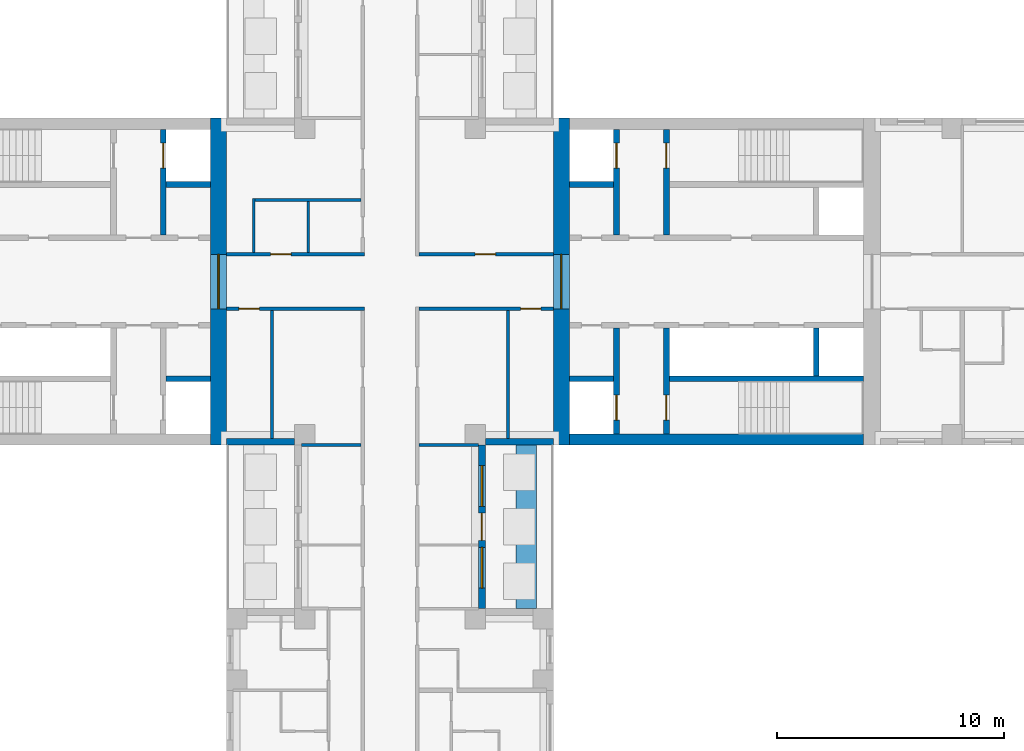
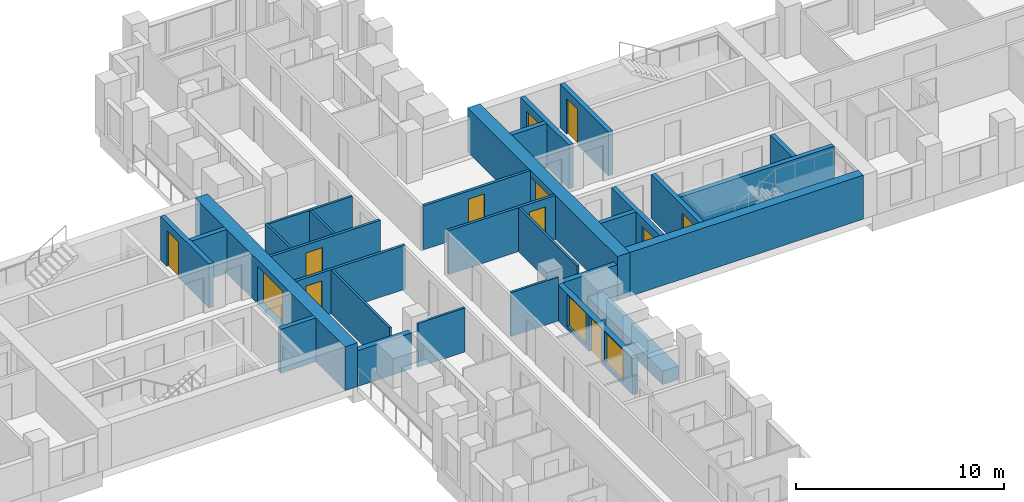
# One storey, part 8 of 14: 29 walls, 12 doors, 2 windows, 14 openings.
"""IFC4 building model written with IfcOpenShell, lengths in metres."""

from ifc_helpers import new_model, si_unit, direction, frame, frame_2d, origin, place, context, subcontext, project, spatial, rectangle, extrude, material, layer, layer_set, type_object, element, fill, save


model = new_model("IFC4")

# Units and contexts
model_context = context("Model", 3, precision=1e-05, world=origin(), true_north=direction((0.0, 1.0)))
body_context = subcontext(model_context, "Body", "Model", "MODEL_VIEW")
ifc_project = project(units=[si_unit("LENGTHUNIT", "METRE"), si_unit("AREAUNIT", "SQUARE_METRE"), si_unit("VOLUMEUNIT", "CUBIC_METRE"), si_unit("PLANEANGLEUNIT", "RADIAN"), si_unit("MASSUNIT", "GRAM", prefix="KILO")], contexts=[model_context])

# Site, building, storey
site_placement = place(None, origin())
site = spatial("IfcSite", under=ifc_project, at=site_placement, CompositionType="ELEMENT")
building_placement = place(site_placement, origin())
building = spatial("IfcBuilding", under=site, at=building_placement, Name="Fustian Cross Tower", CompositionType="ELEMENT")
storey_placement = place(building_placement, frame((0.0, 0.0, 69.89990234375)))
storey = spatial("IfcBuildingStorey", under=building, at=storey_placement, Name="L21", CompositionType="ELEMENT", Elevation=69.89990234375)

# Wall, opening, door
ifc_material_1 = material(Name="Plasterboard on steel stud", Category="steel")
ifc_layer_1 = layer(ifc_material_1, 0.14990234375)
ifc_layer_set_1 = layer_set([ifc_layer_1], Name="Plasterboard on steel stud")
wall_type_1 = type_object("IfcWallType", Name="COMPARTMENT WALL 150 EI 60", PredefinedType="PARTITIONING", material=ifc_layer_set_1)
wall_1_placement = place(storey_placement, frame((-7.199951171875, -1.199951171875, 0.0), z_axis=(0.0, 0.0, 1.0), x_axis=(1.0, 0.0, 0.0)))
wall_1 = element("IfcWall", 1, at=wall_1_placement, inside=storey, type_object=wall_type_1, Name="Partition 16", PredefinedType="PARTITIONING", context=body_context, shape_type="SweptSolid", body=[
    extrude(rectangle(XDim=6.074951171875, YDim=0.14990234375, at=frame_2d((3.03759765625, 0.0))), origin(), (0.0, 0.0, 1.0), 2.5751953125),
])
opening_1_placement = place(wall_1_placement, frame((0.550048828125, 0.0, 0.0)))
opening_1 = element("IfcOpeningElement", 2, at=opening_1_placement, cuts=wall_1, Name="Opening D11008", PredefinedType="OPENING", context=body_context, shape_type="SweptSolid", body=[
    extrude(rectangle(XDim=0.89990234375, YDim=2.10009765625, at=frame_2d((0.449951171875, 1.050048828125))), frame((0.0, 0.0849609375, 0.0), z_axis=(0.0, -1.0, 0.0), x_axis=(1.0, 0.0, 0.0)), (0.0, 0.0, 1.0), 0.169921875),
])
ifc_material_2 = material(Name="Timber fire door set", Category="wood")
door_type_1 = type_object("IfcDoorType", Name="FIRE SWING DOOR 900 FD30S", OperationType="SINGLE_SWING_LEFT", PredefinedType="DOOR", material=ifc_material_2)
door_1_placement = place(opening_1_placement, frame((0.89990234375, 0.0, 0.0), z_axis=(0.0, 0.0, 1.0), x_axis=(-1.0, 0.0, 0.0)))
door_1 = element("IfcDoor", 3, at=door_1_placement, inside=storey, type_object=door_type_1, Name="Door D11008", OperationType="SINGLE_SWING_RIGHT", OverallHeight=2.10009765625, OverallWidth=0.89990234375, PredefinedType="DOOR", context=body_context, shape_type="SweptSolid", body=[
    extrude(rectangle(XDim=0.89990234375, YDim=2.10009765625, at=frame_2d((0.449951171875, 1.050048828125))), frame((0.0, 0.02490234375, 0.0), z_axis=(0.0, -1.0, 0.0), x_axis=(1.0, 0.0, 0.0)), (0.0, 0.0, 1.0), 0.050048828125),
])
fill(opening_1, door_1)

wall_2_placement = place(storey_placement, frame((-7.199951171875, 1.199951171875, 0.0), z_axis=(0.0, 0.0, 1.0), x_axis=(1.0, 0.0, 0.0)))
wall_2 = element("IfcWall", 4, at=wall_2_placement, inside=storey, type_object=wall_type_1, Name="Partition 17", PredefinedType="PARTITIONING", context=body_context, shape_type="SweptSolid", body=[
    extrude(rectangle(XDim=6.074951171875, YDim=0.14990234375, at=frame_2d((3.03759765625, 0.0))), origin(), (0.0, 0.0, 1.0), 2.5751953125),
])
opening_2_placement = place(wall_2_placement, frame((1.949951171875, 0.0, 0.0)))
opening_2 = element("IfcOpeningElement", 5, at=opening_2_placement, cuts=wall_2, Name="Opening D11003", PredefinedType="OPENING", context=body_context, shape_type="SweptSolid", body=[
    extrude(rectangle(XDim=0.89990234375, YDim=2.10009765625, at=frame_2d((0.449951171875, 1.050048828125))), frame((0.0, 0.0849609375, 0.0), z_axis=(0.0, -1.0, 0.0), x_axis=(1.0, 0.0, 0.0)), (0.0, 0.0, 1.0), 0.169921875),
])
door_2_placement = place(opening_2_placement, origin())
door_2 = element("IfcDoor", 6, at=door_2_placement, inside=storey, type_object=door_type_1, Name="Door D11003", OperationType="SINGLE_SWING_LEFT", OverallHeight=2.10009765625, OverallWidth=0.89990234375, PredefinedType="DOOR", context=body_context, shape_type="SweptSolid", body=[
    extrude(rectangle(XDim=0.89990234375, YDim=2.10009765625, at=frame_2d((0.449951171875, 1.050048828125))), frame((0.0, 0.02490234375, 0.0), z_axis=(0.0, -1.0, 0.0), x_axis=(1.0, 0.0, 0.0)), (0.0, 0.0, 1.0), 0.050048828125),
])
fill(opening_2, door_2)

wall_3_placement = place(storey_placement, frame((1.27490234375, -1.199951171875, 0.0), z_axis=(0.0, 0.0, 1.0), x_axis=(1.0, 0.0, 0.0)))
wall_3 = element("IfcWall", 7, at=wall_3_placement, inside=storey, type_object=wall_type_1, Name="Partition 59", PredefinedType="PARTITIONING", context=body_context, shape_type="SweptSolid", body=[
    extrude(rectangle(XDim=5.925048828125, YDim=0.14990234375, at=frame_2d((2.96240234375, 0.0))), origin(), (0.0, 0.0, 1.0), 2.5751953125),
])
opening_3_placement = place(wall_3_placement, frame((4.47509765625, 0.0, 0.0)))
opening_3 = element("IfcOpeningElement", 8, at=opening_3_placement, cuts=wall_3, Name="Opening D11006", PredefinedType="OPENING", context=body_context, shape_type="SweptSolid", body=[
    extrude(rectangle(XDim=0.89990234375, YDim=2.10009765625, at=frame_2d((0.449951171875, 1.050048828125))), frame((0.0, 0.0849609375, 0.0), z_axis=(0.0, -1.0, 0.0), x_axis=(1.0, 0.0, 0.0)), (0.0, 0.0, 1.0), 0.169921875),
])
door_3_placement = place(opening_3_placement, frame((0.89990234375, 0.0, 0.0), z_axis=(0.0, 0.0, 1.0), x_axis=(-1.0, 0.0, 0.0)))
door_3 = element("IfcDoor", 9, at=door_3_placement, inside=storey, type_object=door_type_1, Name="Door D11006", OperationType="SINGLE_SWING_RIGHT", OverallHeight=2.10009765625, OverallWidth=0.89990234375, PredefinedType="DOOR", context=body_context, shape_type="SweptSolid", body=[
    extrude(rectangle(XDim=0.89990234375, YDim=2.10009765625, at=frame_2d((0.449951171875, 1.050048828125))), frame((0.0, 0.02490234375, 0.0), z_axis=(0.0, -1.0, 0.0), x_axis=(1.0, 0.0, 0.0)), (0.0, 0.0, 1.0), 0.050048828125),
])
fill(opening_3, door_3)

wall_4_placement = place(storey_placement, frame((1.27490234375, 1.199951171875, 0.0), z_axis=(0.0, 0.0, 1.0), x_axis=(1.0, 0.0, 0.0)))
wall_4 = element("IfcWall", 10, at=wall_4_placement, inside=storey, type_object=wall_type_1, Name="Partition 61", PredefinedType="PARTITIONING", context=body_context, shape_type="SweptSolid", body=[
    extrude(rectangle(XDim=5.925048828125, YDim=0.14990234375, at=frame_2d((2.96240234375, 0.0))), origin(), (0.0, 0.0, 1.0), 2.5751953125),
])
opening_4_placement = place(wall_4_placement, frame((2.47509765625, 0.0, 0.0)))
opening_4 = element("IfcOpeningElement", 11, at=opening_4_placement, cuts=wall_4, Name="Opening D11001", PredefinedType="OPENING", context=body_context, shape_type="SweptSolid", body=[
    extrude(rectangle(XDim=0.89990234375, YDim=2.10009765625, at=frame_2d((0.449951171875, 1.050048828125))), frame((0.0, 0.0849609375, 0.0), z_axis=(0.0, -1.0, 0.0), x_axis=(1.0, 0.0, 0.0)), (0.0, 0.0, 1.0), 0.169921875),
])
door_4_placement = place(opening_4_placement, origin())
door_4 = element("IfcDoor", 12, at=door_4_placement, inside=storey, type_object=door_type_1, Name="Door D11001", OperationType="SINGLE_SWING_LEFT", OverallHeight=2.10009765625, OverallWidth=0.89990234375, PredefinedType="DOOR", context=body_context, shape_type="SweptSolid", body=[
    extrude(rectangle(XDim=0.89990234375, YDim=2.10009765625, at=frame_2d((0.449951171875, 1.050048828125))), frame((0.0, 0.02490234375, 0.0), z_axis=(0.0, -1.0, 0.0), x_axis=(1.0, 0.0, 0.0)), (0.0, 0.0, 1.0), 0.050048828125),
])
fill(opening_4, door_4)

ifc_material_3 = material(Name="Concrete C70/85", Category="concrete")
ifc_layer_2 = layer(ifc_material_3, 0.699951171875)
ifc_layer_set_2 = layer_set([ifc_layer_2], Name="Concrete C70/85")
wall_type_2 = type_object("IfcWallType", Name="CORE END WALL 700 C70/85", PredefinedType="SHEAR", material=ifc_layer_set_2)
wall_5_placement = place(storey_placement, frame((7.550048828125, -7.199951171875, 0.0), z_axis=(0.0, 0.0, 1.0), x_axis=(0.0, 1.0, 0.0)))
wall_5 = element("IfcWall", 13, at=wall_5_placement, inside=storey, type_object=wall_type_2, Name="Core end wall", PredefinedType="SHEAR", context=body_context, shape_type="SweptSolid", body=[
    extrude(rectangle(XDim=14.39990234375, YDim=0.699951171875, at=frame_2d((7.199951171875, 0.0))), origin(), (0.0, 0.0, 1.0), 2.5751953125),
])
opening_5_placement = place(wall_5_placement, frame((6.0, 0.0, 0.0)))
opening_5 = element("IfcOpeningElement", 14, at=opening_5_placement, cuts=wall_5, Name="Opening CD-09-12", PredefinedType="OPENING", context=body_context, shape_type="SweptSolid", body=[
    extrude(rectangle(XDim=2.39990234375, YDim=2.199951171875, at=frame_2d((1.199951171875, 1.10009765625))), frame((0.0, 0.35986328125, 0.0), z_axis=(0.0, -1.0, 0.0), x_axis=(1.0, 0.0, 0.0)), (0.0, 0.0, 1.0), 0.719970703125),
])
ifc_material_4 = material(Name="Steel", Category="steel")
door_type_2 = type_object("IfcDoorType", Name="FIRE DOOR FD30S DOUBLE 2400X2200", OperationType="DOUBLE_DOOR_DOUBLE_SWING", PredefinedType="DOOR", material=ifc_material_4)
door_5_placement = place(opening_5_placement, frame((2.39990234375, 0.0, 0.0), z_axis=(0.0, 0.0, 1.0), x_axis=(-1.0, 0.0, 0.0)))
door_5 = element("IfcDoor", 15, at=door_5_placement, inside=storey, type_object=door_type_2, Name="Core door CD-09-12", OperationType="DOUBLE_DOOR_DOUBLE_SWING", OverallHeight=2.199951171875, OverallWidth=2.39990234375, PredefinedType="DOOR", context=body_context, shape_type="SweptSolid", body=[
    extrude(rectangle(XDim=2.39990234375, YDim=2.199951171875, at=frame_2d((1.199951171875, 1.10009765625))), frame((0.0, 0.02490234375, 0.0), z_axis=(0.0, -1.0, 0.0), x_axis=(1.0, 0.0, 0.0)), (0.0, 0.0, 1.0), 0.050048828125),
])
fill(opening_5, door_5)

wall_6_placement = place(storey_placement, frame((-7.550048828125, -7.199951171875, 0.0), z_axis=(0.0, 0.0, 1.0), x_axis=(0.0, 1.0, 0.0)))
wall_6 = element("IfcWall", 16, at=wall_6_placement, inside=storey, type_object=wall_type_2, Name="Core end wall", PredefinedType="SHEAR", context=body_context, shape_type="SweptSolid", body=[
    extrude(rectangle(XDim=14.39990234375, YDim=0.699951171875, at=frame_2d((7.199951171875, 0.0))), origin(), (0.0, 0.0, 1.0), 2.5751953125),
])
opening_6_placement = place(wall_6_placement, frame((6.0, 0.0, 0.0)))
opening_6 = element("IfcOpeningElement", 17, at=opening_6_placement, cuts=wall_6, Name="Opening CD-09-26", PredefinedType="OPENING", context=body_context, shape_type="SweptSolid", body=[
    extrude(rectangle(XDim=2.39990234375, YDim=2.199951171875, at=frame_2d((1.199951171875, 1.10009765625))), frame((0.0, 0.35986328125, 0.0), z_axis=(0.0, -1.0, 0.0), x_axis=(1.0, 0.0, 0.0)), (0.0, 0.0, 1.0), 0.719970703125),
])
door_6_placement = place(opening_6_placement, origin())
door_6 = element("IfcDoor", 18, at=door_6_placement, inside=storey, type_object=door_type_2, Name="Core door CD-09-26", OperationType="DOUBLE_DOOR_DOUBLE_SWING", OverallHeight=2.199951171875, OverallWidth=2.39990234375, PredefinedType="DOOR", context=body_context, shape_type="SweptSolid", body=[
    extrude(rectangle(XDim=2.39990234375, YDim=2.199951171875, at=frame_2d((1.199951171875, 1.10009765625))), frame((0.0, 0.02490234375, 0.0), z_axis=(0.0, -1.0, 0.0), x_axis=(1.0, 0.0, 0.0)), (0.0, 0.0, 1.0), 0.050048828125),
])
fill(opening_6, door_6)

# Walls
ifc_material_5 = material(Name="Concrete C70/85", Category="concrete")
ifc_layer_3 = layer(ifc_material_5, 0.5)
ifc_layer_set_3 = layer_set([ifc_layer_3], Name="Concrete C70/85")
wall_type_3 = type_object("IfcWallType", Name="CORE FACADE WALL 500 C70/85", PredefinedType="SHEAR", material=ifc_layer_set_3)
wall_7_placement = place(storey_placement, frame((7.89990234375, -6.949951171875, 0.0), z_axis=(0.0, 0.0, 1.0), x_axis=(1.0, 0.0, 0.0)))
element("IfcWall", 19, at=wall_7_placement, inside=storey, type_object=wall_type_3, Name="Core facade wall", PredefinedType="SHEAR", context=body_context, shape_type="SweptSolid", body=[
    extrude(rectangle(XDim=12.9501953125, YDim=0.5, at=frame_2d((6.47509765625, 0.0))), origin(), (0.0, 0.0, 1.0), 2.5751953125),
])
ifc_material_6 = material(Name="Concrete C50/60", Category="concrete")
ifc_layer_4 = layer(ifc_material_6, 0.25)
ifc_layer_set_4 = layer_set([ifc_layer_4], Name="Concrete C50/60")
wall_type_4 = type_object("IfcWallType", Name="CORE SHAFT WALL 250 C50/60", PredefinedType="SHEAR", material=ifc_layer_set_4)
wall_8_placement = place(storey_placement, frame((7.89990234375, 4.27490234375, 0.0), z_axis=(0.0, 0.0, 1.0), x_axis=(1.0, 0.0, 0.0)))
element("IfcWall", 20, at=wall_8_placement, inside=storey, type_object=wall_type_4, Name="Core shaft wall", PredefinedType="SHEAR", context=body_context, shape_type="SweptSolid", body=[
    extrude(rectangle(XDim=1.9501953125, YDim=0.25, at=frame_2d((0.97509765625, 0.0))), origin(), (0.0, 0.0, 1.0), 2.5751953125),
])

# Wall, opening, door
wall_9_placement = place(storey_placement, frame((9.97509765625, 2.050048828125, 0.0), z_axis=(0.0, 0.0, 1.0), x_axis=(0.0, 1.0, 0.0)))
wall_9 = element("IfcWall", 21, at=wall_9_placement, inside=storey, type_object=wall_type_4, Name="Core shaft wall", PredefinedType="SHEAR", context=body_context, shape_type="SweptSolid", body=[
    extrude(rectangle(XDim=4.64990234375, YDim=0.25, at=frame_2d((2.324951171875, 0.0))), origin(), (0.0, 0.0, 1.0), 2.5751953125),
])
opening_7_placement = place(wall_9_placement, frame((2.949951171875, 0.0, 0.0)))
opening_7 = element("IfcOpeningElement", 22, at=opening_7_placement, cuts=wall_9, Name="Opening LD", PredefinedType="OPENING", context=body_context, shape_type="SweptSolid", body=[
    extrude(rectangle(XDim=1.10009765625, YDim=2.10009765625, at=frame_2d((0.550048828125, 1.050048828125))), frame((0.0, 0.135009765625, 0.0), z_axis=(0.0, -1.0, 0.0), x_axis=(1.0, 0.0, 0.0)), (0.0, 0.0, 1.0), 0.27001953125),
])
ifc_material_7 = material(Name="Stainless steel", Category="steel")
door_type_3 = type_object("IfcDoorType", Name="LIFT LANDING DOOR 1100X2100", OperationType="SLIDING_TO_LEFT", PredefinedType="DOOR", material=ifc_material_7)
door_7_placement = place(opening_7_placement, origin())
door_7 = element("IfcDoor", 23, at=door_7_placement, inside=storey, type_object=door_type_3, Name="Landing door FL1", OperationType="SLIDING_TO_LEFT", OverallHeight=2.10009765625, OverallWidth=1.10009765625, PredefinedType="DOOR", context=body_context, shape_type="SweptSolid", body=[
    extrude(rectangle(XDim=1.10009765625, YDim=2.10009765625, at=frame_2d((0.550048828125, 1.050048828125))), frame((0.0, 0.02490234375, 0.0), z_axis=(0.0, -1.0, 0.0), x_axis=(1.0, 0.0, 0.0)), (0.0, 0.0, 1.0), 0.050048828125),
])
fill(opening_7, door_7)

wall_10_placement = place(storey_placement, frame((12.175048828125, 2.050048828125, 0.0), z_axis=(0.0, 0.0, 1.0), x_axis=(0.0, 1.0, 0.0)))
wall_10 = element("IfcWall", 24, at=wall_10_placement, inside=storey, type_object=wall_type_4, Name="Core shaft wall", PredefinedType="SHEAR", context=body_context, shape_type="SweptSolid", body=[
    extrude(rectangle(XDim=4.64990234375, YDim=0.25, at=frame_2d((2.324951171875, 0.0))), origin(), (0.0, 0.0, 1.0), 2.5751953125),
])
opening_8_placement = place(wall_10_placement, frame((2.949951171875, 0.0, 0.0)))
opening_8 = element("IfcOpeningElement", 25, at=opening_8_placement, cuts=wall_10, Name="Opening CD-09-06", PredefinedType="OPENING", context=body_context, shape_type="SweptSolid", body=[
    extrude(rectangle(XDim=1.10009765625, YDim=2.10009765625, at=frame_2d((0.550048828125, 1.050048828125))), frame((0.0, 0.135009765625, 0.0), z_axis=(0.0, -1.0, 0.0), x_axis=(1.0, 0.0, 0.0)), (0.0, 0.0, 1.0), 0.27001953125),
])
ifc_material_8 = material(Name="Steel", Category="steel")
door_type_4 = type_object("IfcDoorType", Name="FIRE DOOR FD60S 1100X2100", OperationType="SINGLE_SWING_LEFT", PredefinedType="DOOR", material=ifc_material_8)
door_8_placement = place(opening_8_placement, frame((1.10009765625, 0.0, 0.0), z_axis=(0.0, 0.0, 1.0), x_axis=(-1.0, 0.0, 0.0)))
door_8 = element("IfcDoor", 26, at=door_8_placement, inside=storey, type_object=door_type_4, Name="Core door CD-09-06", OperationType="SINGLE_SWING_RIGHT", OverallHeight=2.10009765625, OverallWidth=1.10009765625, PredefinedType="DOOR", context=body_context, shape_type="SweptSolid", body=[
    extrude(rectangle(XDim=1.10009765625, YDim=2.10009765625, at=frame_2d((0.550048828125, 1.050048828125))), frame((0.0, 0.02490234375, 0.0), z_axis=(0.0, -1.0, 0.0), x_axis=(1.0, 0.0, 0.0)), (0.0, 0.0, 1.0), 0.050048828125),
])
fill(opening_8, door_8)

# Walls
wall_11_placement = place(storey_placement, frame((7.89990234375, -4.27490234375, 0.0), z_axis=(0.0, 0.0, 1.0), x_axis=(1.0, 0.0, 0.0)))
element("IfcWall", 27, at=wall_11_placement, inside=storey, type_object=wall_type_4, Name="Core shaft wall", PredefinedType="SHEAR", context=body_context, shape_type="SweptSolid", body=[
    extrude(rectangle(XDim=1.9501953125, YDim=0.25, at=frame_2d((0.97509765625, 0.0))), origin(), (0.0, 0.0, 1.0), 2.5751953125),
])
wall_12_placement = place(storey_placement, frame((12.300048828125, -4.27490234375, 0.0), z_axis=(0.0, 0.0, 1.0), x_axis=(1.0, 0.0, 0.0)))
element("IfcWall", 28, at=wall_12_placement, inside=storey, type_object=wall_type_4, Name="Core shaft wall", PredefinedType="SHEAR", context=body_context, shape_type="SweptSolid", body=[
    extrude(rectangle(XDim=8.550048828125, YDim=0.25, at=frame_2d((4.27490234375, 0.0))), origin(), (0.0, 0.0, 1.0), 2.5751953125),
])

# Wall, opening, door
wall_13_placement = place(storey_placement, frame((9.97509765625, -2.050048828125, 0.0), z_axis=(0.0, 0.0, 1.0), x_axis=(0.0, -1.0, 0.0)))
wall_13 = element("IfcWall", 29, at=wall_13_placement, inside=storey, type_object=wall_type_4, Name="Core shaft wall", PredefinedType="SHEAR", context=body_context, shape_type="SweptSolid", body=[
    extrude(rectangle(XDim=4.64990234375, YDim=0.25, at=frame_2d((2.324951171875, 0.0))), origin(), (0.0, 0.0, 1.0), 2.5751953125),
])
opening_9_placement = place(wall_13_placement, frame((2.949951171875, 0.0, 0.0)))
opening_9 = element("IfcOpeningElement", 30, at=opening_9_placement, cuts=wall_13, Name="Opening LD", PredefinedType="OPENING", context=body_context, shape_type="SweptSolid", body=[
    extrude(rectangle(XDim=1.10009765625, YDim=2.10009765625, at=frame_2d((0.550048828125, 1.050048828125))), frame((0.0, 0.135009765625, 0.0), z_axis=(0.0, -1.0, 0.0), x_axis=(1.0, 0.0, 0.0)), (0.0, 0.0, 1.0), 0.27001953125),
])
door_9_placement = place(opening_9_placement, origin())
door_9 = element("IfcDoor", 31, at=door_9_placement, inside=storey, type_object=door_type_3, Name="Landing door SV1", OperationType="SLIDING_TO_LEFT", OverallHeight=2.10009765625, OverallWidth=1.10009765625, PredefinedType="DOOR", context=body_context, shape_type="SweptSolid", body=[
    extrude(rectangle(XDim=1.10009765625, YDim=2.10009765625, at=frame_2d((0.550048828125, 1.050048828125))), frame((0.0, 0.02490234375, 0.0), z_axis=(0.0, -1.0, 0.0), x_axis=(1.0, 0.0, 0.0)), (0.0, 0.0, 1.0), 0.050048828125),
])
fill(opening_9, door_9)

wall_14_placement = place(storey_placement, frame((12.175048828125, -2.050048828125, 0.0), z_axis=(0.0, 0.0, 1.0), x_axis=(0.0, -1.0, 0.0)))
wall_14 = element("IfcWall", 32, at=wall_14_placement, inside=storey, type_object=wall_type_4, Name="Core shaft wall", PredefinedType="SHEAR", context=body_context, shape_type="SweptSolid", body=[
    extrude(rectangle(XDim=4.64990234375, YDim=0.25, at=frame_2d((2.324951171875, 0.0))), origin(), (0.0, 0.0, 1.0), 2.5751953125),
])
opening_10_placement = place(wall_14_placement, frame((2.949951171875, 0.0, 0.0)))
opening_10 = element("IfcOpeningElement", 33, at=opening_10_placement, cuts=wall_14, Name="Opening CD-09-07", PredefinedType="OPENING", context=body_context, shape_type="SweptSolid", body=[
    extrude(rectangle(XDim=1.10009765625, YDim=2.10009765625, at=frame_2d((0.550048828125, 1.050048828125))), frame((0.0, 0.135009765625, 0.0), z_axis=(0.0, -1.0, 0.0), x_axis=(1.0, 0.0, 0.0)), (0.0, 0.0, 1.0), 0.27001953125),
])
door_10_placement = place(opening_10_placement, origin())
door_10 = element("IfcDoor", 34, at=door_10_placement, inside=storey, type_object=door_type_4, Name="Core door CD-09-07", OperationType="SINGLE_SWING_LEFT", OverallHeight=2.10009765625, OverallWidth=1.10009765625, PredefinedType="DOOR", context=body_context, shape_type="SweptSolid", body=[
    extrude(rectangle(XDim=1.10009765625, YDim=2.10009765625, at=frame_2d((0.550048828125, 1.050048828125))), frame((0.0, 0.02490234375, 0.0), z_axis=(0.0, -1.0, 0.0), x_axis=(1.0, 0.0, 0.0)), (0.0, 0.0, 1.0), 0.050048828125),
])
fill(opening_10, door_10)

# Wall
wall_15_placement = place(storey_placement, frame((-7.89990234375, 4.27490234375, 0.0), z_axis=(0.0, 0.0, 1.0), x_axis=(-1.0, 0.0, 0.0)))
element("IfcWall", 35, at=wall_15_placement, inside=storey, type_object=wall_type_4, Name="Core shaft wall", PredefinedType="SHEAR", context=body_context, shape_type="SweptSolid", body=[
    extrude(rectangle(XDim=1.9501953125, YDim=0.25, at=frame_2d((0.97509765625, 0.0))), origin(), (0.0, 0.0, 1.0), 2.5751953125),
])

# Wall, opening, door
wall_16_placement = place(storey_placement, frame((-9.97509765625, 2.050048828125, 0.0), z_axis=(0.0, 0.0, 1.0), x_axis=(0.0, 1.0, 0.0)))
wall_16 = element("IfcWall", 36, at=wall_16_placement, inside=storey, type_object=wall_type_4, Name="Core shaft wall", PredefinedType="SHEAR", context=body_context, shape_type="SweptSolid", body=[
    extrude(rectangle(XDim=4.64990234375, YDim=0.25, at=frame_2d((2.324951171875, 0.0))), origin(), (0.0, 0.0, 1.0), 2.5751953125),
])
opening_11_placement = place(wall_16_placement, frame((2.949951171875, 0.0, 0.0)))
opening_11 = element("IfcOpeningElement", 37, at=opening_11_placement, cuts=wall_16, Name="Opening LD", PredefinedType="OPENING", context=body_context, shape_type="SweptSolid", body=[
    extrude(rectangle(XDim=1.10009765625, YDim=2.10009765625, at=frame_2d((0.550048828125, 1.050048828125))), frame((0.0, 0.135009765625, 0.0), z_axis=(0.0, -1.0, 0.0), x_axis=(1.0, 0.0, 0.0)), (0.0, 0.0, 1.0), 0.27001953125),
])
door_11_placement = place(opening_11_placement, origin())
door_11 = element("IfcDoor", 38, at=door_11_placement, inside=storey, type_object=door_type_3, Name="Landing door FL1W", OperationType="SLIDING_TO_LEFT", OverallHeight=2.10009765625, OverallWidth=1.10009765625, PredefinedType="DOOR", context=body_context, shape_type="SweptSolid", body=[
    extrude(rectangle(XDim=1.10009765625, YDim=2.10009765625, at=frame_2d((0.550048828125, 1.050048828125))), frame((0.0, 0.02490234375, 0.0), z_axis=(0.0, -1.0, 0.0), x_axis=(1.0, 0.0, 0.0)), (0.0, 0.0, 1.0), 0.050048828125),
])
fill(opening_11, door_11)

# Walls
wall_17_placement = place(storey_placement, frame((-7.89990234375, -4.27490234375, 0.0), z_axis=(0.0, 0.0, 1.0), x_axis=(-1.0, 0.0, 0.0)))
element("IfcWall", 39, at=wall_17_placement, inside=storey, type_object=wall_type_4, Name="Core shaft wall", PredefinedType="SHEAR", context=body_context, shape_type="SweptSolid", body=[
    extrude(rectangle(XDim=1.9501953125, YDim=0.25, at=frame_2d((0.97509765625, 0.0))), origin(), (0.0, 0.0, 1.0), 2.5751953125),
])
ifc_material_9 = material(Name="Concrete C40/50", Category="concrete")
ifc_layer_5 = layer(ifc_material_9, 0.89990234375)
ifc_layer_set_5 = layer_set([ifc_layer_5], Name="Concrete C40/50")
wall_type_5 = type_object("IfcWallType", Name="PK1 PLANTER 900", PredefinedType="PARAPET", material=ifc_layer_set_5)
wall_18_placement = place(storey_placement, frame((6.0, -14.39990234375, 0.0), z_axis=(0.0, 0.0, 1.0), x_axis=(0.0, 1.0, 0.0)))
element("IfcWall", 40, at=wall_18_placement, inside=storey, type_object=wall_type_5, Name="PLANTER", PredefinedType="PARAPET", context=body_context, shape_type="SweptSolid", body=[
    extrude(rectangle(XDim=7.199951171875, YDim=0.89990234375, at=frame_2d((3.60009765625, 0.0))), origin(), (0.0, 0.0, 1.0), 0.800048828125),
])
ifc_material_10 = material(Name="Concrete C40/50", Category="concrete")
ifc_layer_6 = layer(ifc_material_10, 0.25)
ifc_layer_set_6 = layer_set([ifc_layer_6], Name="Concrete C40/50")
wall_type_6 = type_object("IfcWallType", Name="SHAFT PARTITION WALL 250 C40/50", PredefinedType="PARTITIONING", material=ifc_layer_set_6)
wall_19_placement = place(storey_placement, frame((18.77490234375, -2.050048828125, 0.0), z_axis=(0.0, 0.0, 1.0), x_axis=(0.0, -1.0, 0.0)))
element("IfcWall", 41, at=wall_19_placement, inside=storey, type_object=wall_type_6, Name="Core shaft wall", PredefinedType="PARTITIONING", context=body_context, shape_type="SweptSolid", body=[
    extrude(rectangle(XDim=2.099853515625, YDim=0.25, at=frame_2d((1.0498046875, 0.0))), origin(), (0.0, 0.0, 1.0), 2.5751953125),
])
ifc_material_11 = material(Name="Plasterboard on steel stud", Category="steel")
ifc_layer_7 = layer(ifc_material_11, 0.125)
ifc_layer_set_7 = layer_set([ifc_layer_7], Name="Plasterboard on steel stud")
wall_type_7 = type_object("IfcWallType", Name="WET WALL 125 STUD", PredefinedType="PARTITIONING", material=ifc_layer_set_7)
wall_20_placement = place(storey_placement, frame((-6.0, 1.27490234375, 0.0), z_axis=(0.0, 0.0, 1.0), x_axis=(0.0, 1.0, 0.0)))
element("IfcWall", 42, at=wall_20_placement, inside=storey, type_object=wall_type_7, Name="Partition 25", PredefinedType="PARTITIONING", context=body_context, shape_type="SweptSolid", body=[
    extrude(rectangle(XDim=2.3876953125, YDim=0.125, at=frame_2d((1.19384765625, 0.0))), origin(), (0.0, 0.0, 1.0), 2.5751953125),
])
wall_21_placement = place(storey_placement, frame((-5.9375, 3.60009765625, 0.0), z_axis=(0.0, 0.0, 1.0), x_axis=(1.0, 0.0, 0.0)))
element("IfcWall", 43, at=wall_21_placement, inside=storey, type_object=wall_type_7, Name="Partition 26", PredefinedType="PARTITIONING", context=body_context, shape_type="SweptSolid", body=[
    extrude(rectangle(XDim=4.66259765625, YDim=0.125, at=frame_2d((2.331298828125, 0.0))), origin(), (0.0, 0.0, 1.0), 2.5751953125),
])
wall_22_placement = place(storey_placement, frame((-5.199951171875, -6.89990234375, 0.0), z_axis=(0.0, 0.0, 1.0), x_axis=(0.0, 1.0, 0.0)))
element("IfcWall", 44, at=wall_22_placement, inside=storey, type_object=wall_type_7, Name="Partition 27", PredefinedType="PARTITIONING", context=body_context, shape_type="SweptSolid", body=[
    extrude(rectangle(XDim=5.625, YDim=0.125, at=frame_2d((2.8125, 0.0))), origin(), (0.0, 0.0, 1.0), 2.5751953125),
])
wall_23_placement = place(storey_placement, frame((-3.89990234375, -7.199951171875, 0.0), z_axis=(0.0, 0.0, 1.0), x_axis=(1.0, 0.0, 0.0)))
element("IfcWall", 45, at=wall_23_placement, inside=storey, type_object=wall_type_7, Name="Partition 40", PredefinedType="PARTITIONING", context=body_context, shape_type="SweptSolid", body=[
    extrude(rectangle(XDim=2.625, YDim=0.125, at=frame_2d((1.3125, 0.0))), origin(), (0.0, 0.0, 1.0), 2.5751953125),
])
wall_24_placement = place(storey_placement, frame((-3.60009765625, 1.27490234375, 0.0), z_axis=(0.0, 0.0, 1.0), x_axis=(0.0, 1.0, 0.0)))
element("IfcWall", 46, at=wall_24_placement, inside=storey, type_object=wall_type_7, Name="Partition 43", PredefinedType="PARTITIONING", context=body_context, shape_type="SweptSolid", body=[
    extrude(rectangle(XDim=2.2626953125, YDim=0.125, at=frame_2d((1.13134765625, 0.0))), origin(), (0.0, 0.0, 1.0), 2.5751953125),
])
wall_25_placement = place(storey_placement, frame((1.27490234375, -7.199951171875, 0.0), z_axis=(0.0, 0.0, 1.0), x_axis=(1.0, 0.0, 0.0)))
element("IfcWall", 47, at=wall_25_placement, inside=storey, type_object=wall_type_7, Name="Partition 58", PredefinedType="PARTITIONING", context=body_context, shape_type="SweptSolid", body=[
    extrude(rectangle(XDim=2.625, YDim=0.125, at=frame_2d((1.3125, 0.0))), origin(), (0.0, 0.0, 1.0), 2.5751953125),
])
wall_26_placement = place(storey_placement, frame((5.199951171875, -6.89990234375, 0.0), z_axis=(0.0, 0.0, 1.0), x_axis=(0.0, 1.0, 0.0)))
element("IfcWall", 48, at=wall_26_placement, inside=storey, type_object=wall_type_7, Name="Partition 83", PredefinedType="PARTITIONING", context=body_context, shape_type="SweptSolid", body=[
    extrude(rectangle(XDim=5.625, YDim=0.125, at=frame_2d((2.8125, 0.0))), origin(), (0.0, 0.0, 1.0), 2.5751953125),
])
ifc_material_12 = material(Name="Dark aluminium cladding on insulated backing wall", Category="aluminium")
ifc_layer_8 = layer(ifc_material_12, 0.300048828125)
ifc_layer_set_8 = layer_set([ifc_layer_8], Name="Dark aluminium cladding on insulated backing wall")
wall_type_8 = type_object("IfcWallType", Name="XW1 EXTERNAL WALL 300", PredefinedType="SOLIDWALL", material=ifc_layer_set_8)
wall_27_placement = place(storey_placement, frame((-7.199951171875, -7.050048828125, 0.0), z_axis=(0.0, 0.0, 1.0), x_axis=(1.0, 0.0, 0.0)))
element("IfcWall", 49, at=wall_27_placement, inside=storey, type_object=wall_type_8, Name="External wall", PredefinedType="SOLIDWALL", context=body_context, shape_type="SweptSolid", body=[
    extrude(rectangle(XDim=3.0, YDim=0.300048828125, at=frame_2d((1.5, 0.0))), origin(), (0.0, 0.0, 1.0), 2.10009765625),
])

# Wall, openings, door, windows
wall_28_placement = place(storey_placement, frame((4.050048828125, -14.39990234375, 0.0), z_axis=(0.0, 0.0, 1.0), x_axis=(0.0, 1.0, 0.0)))
wall_28 = element("IfcWall", 50, at=wall_28_placement, inside=storey, type_object=wall_type_8, Name="External wall", PredefinedType="SOLIDWALL", context=body_context, shape_type="SweptSolid", body=[
    extrude(rectangle(XDim=7.199951171875, YDim=0.300048828125, at=frame_2d((3.60009765625, 0.0))), origin(), (0.0, 0.0, 1.0), 2.10009765625),
])
opening_12_placement = place(wall_28_placement, frame((3.0, 0.0, 0.0)))
opening_12 = element("IfcOpeningElement", 51, at=opening_12_placement, cuts=wall_28, Name="Opening XD3", PredefinedType="OPENING", context=body_context, shape_type="SweptSolid", body=[
    extrude(rectangle(XDim=1.199951171875, YDim=2.050048828125, at=frame_2d((0.60009765625, 1.02490234375))), frame((0.0, 0.159912109375, 0.0), z_axis=(0.0, -1.0, 0.0), x_axis=(1.0, 0.0, 0.0)), (0.0, 0.0, 1.0), 0.320068359375),
])
opening_13_placement = place(wall_28_placement, frame((0.89990234375, 0.0, 0.199951171875)))
opening_13 = element("IfcOpeningElement", 52, at=opening_13_placement, cuts=wall_28, Name="Opening WN2", PredefinedType="OPENING", context=body_context, shape_type="SweptSolid", body=[
    extrude(rectangle(XDim=1.800048828125, YDim=1.85009765625, at=frame_2d((0.89990234375, 0.925048828125))), frame((0.0, 0.159912109375, 0.0), z_axis=(0.0, -1.0, 0.0), x_axis=(1.0, 0.0, 0.0)), (0.0, 0.0, 1.0), 0.320068359375),
])
opening_14_placement = place(wall_28_placement, frame((4.5, 0.0, 0.199951171875)))
opening_14 = element("IfcOpeningElement", 53, at=opening_14_placement, cuts=wall_28, Name="Opening WN2", PredefinedType="OPENING", context=body_context, shape_type="SweptSolid", body=[
    extrude(rectangle(XDim=1.800048828125, YDim=1.85009765625, at=frame_2d((0.89990234375, 0.925048828125))), frame((0.0, 0.159912109375, 0.0), z_axis=(0.0, -1.0, 0.0), x_axis=(1.0, 0.0, 0.0)), (0.0, 0.0, 1.0), 0.320068359375),
])
ifc_material_13 = material(Name="Dark anodised aluminium and double glazing", Category="aluminium")
door_type_5 = type_object("IfcDoorType", Name="ED1 BALCONY DOOR 1200X2050", OperationType="SINGLE_SWING_LEFT", PredefinedType="DOOR", material=ifc_material_13)
door_12_placement = place(opening_12_placement, origin())
door_12 = element("IfcDoor", 54, at=door_12_placement, inside=storey, type_object=door_type_5, Name="Balcony door", OperationType="SINGLE_SWING_LEFT", OverallHeight=2.050048828125, OverallWidth=1.199951171875, PredefinedType="DOOR", context=body_context, shape_type="SweptSolid", body=[
    extrude(rectangle(XDim=1.199951171875, YDim=2.050048828125, at=frame_2d((0.60009765625, 1.02490234375))), frame((0.0, 0.02490234375, 0.0), z_axis=(0.0, -1.0, 0.0), x_axis=(1.0, 0.0, 0.0)), (0.0, 0.0, 1.0), 0.050048828125),
])
fill(opening_12, door_12)
ifc_material_14 = material(Name="Dark anodised aluminium and double glazing", Category="aluminium")
window_type = type_object("IfcWindowType", Name="WN2 WINDOW 1800X1850", PartitioningType="SINGLE_PANEL", PredefinedType="WINDOW", material=ifc_material_14)
window_1_placement = place(opening_13_placement, origin())
window_1 = element("IfcWindow", 55, at=window_1_placement, inside=storey, type_object=window_type, Name="Window", OverallHeight=1.85009765625, OverallWidth=1.800048828125, PartitioningType="SINGLE_PANEL", PredefinedType="WINDOW", context=body_context, shape_type="SweptSolid", body=[
    extrude(rectangle(XDim=1.800048828125, YDim=1.85009765625, at=frame_2d((0.89990234375, 0.925048828125))), frame((0.0, 0.030029296875, 0.0), z_axis=(0.0, -1.0, 0.0), x_axis=(1.0, 0.0, 0.0)), (0.0, 0.0, 1.0), 0.06005859375),
])
fill(opening_13, window_1)
window_2_placement = place(opening_14_placement, origin())
window_2 = element("IfcWindow", 56, at=window_2_placement, inside=storey, type_object=window_type, Name="Window", OverallHeight=1.85009765625, OverallWidth=1.800048828125, PartitioningType="SINGLE_PANEL", PredefinedType="WINDOW", context=body_context, shape_type="SweptSolid", body=[
    extrude(rectangle(XDim=1.800048828125, YDim=1.85009765625, at=frame_2d((0.89990234375, 0.925048828125))), frame((0.0, 0.030029296875, 0.0), z_axis=(0.0, -1.0, 0.0), x_axis=(1.0, 0.0, 0.0)), (0.0, 0.0, 1.0), 0.06005859375),
])
fill(opening_14, window_2)

# Wall
wall_29_placement = place(storey_placement, frame((4.199951171875, -7.050048828125, 0.0), z_axis=(0.0, 0.0, 1.0), x_axis=(1.0, 0.0, 0.0)))
element("IfcWall", 57, at=wall_29_placement, inside=storey, type_object=wall_type_8, Name="External wall", PredefinedType="SOLIDWALL", context=body_context, shape_type="SweptSolid", body=[
    extrude(rectangle(XDim=3.0, YDim=0.300048828125, at=frame_2d((1.5, 0.0))), origin(), (0.0, 0.0, 1.0), 2.10009765625),
])

save(model, "model.ifc")
